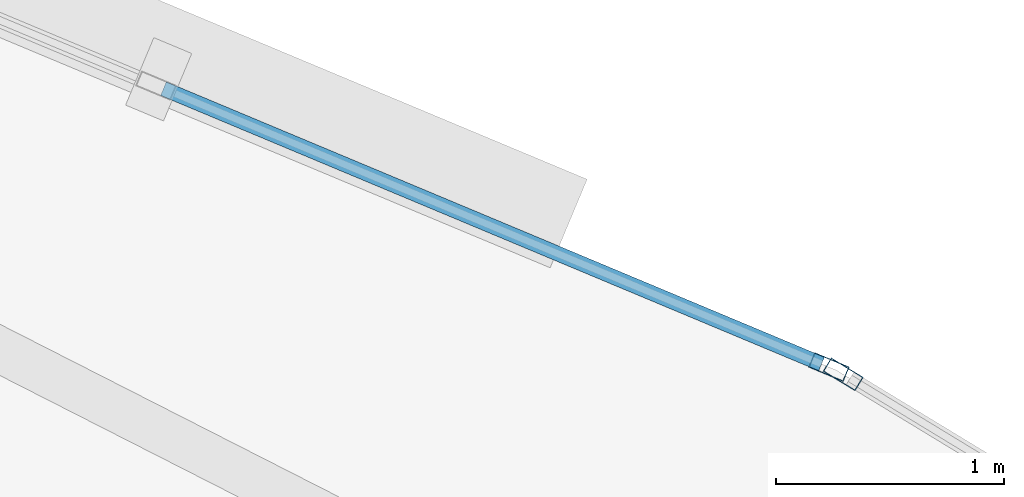
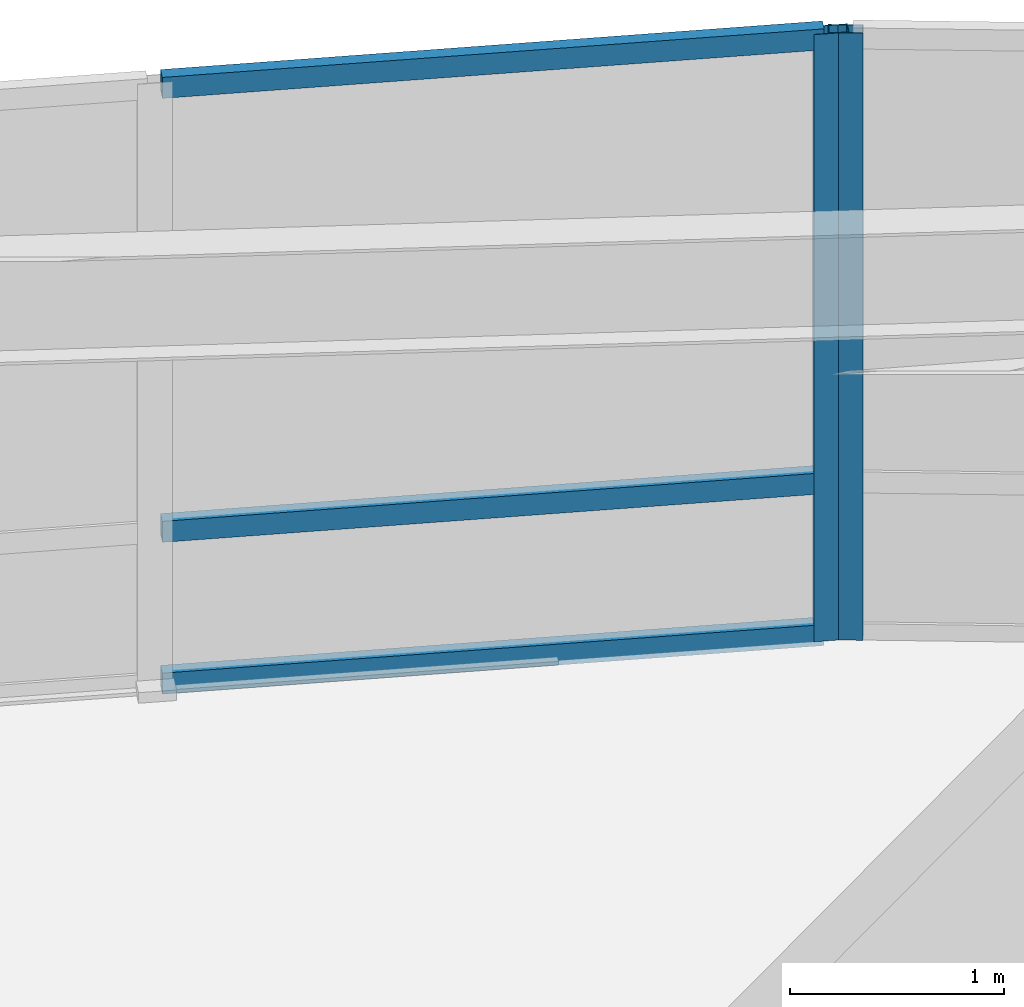
# One storey, part 11 of 16: 5 members, 2 elements without a shape of their own.
"""IFC4 building model written with IfcOpenShell, lengths in metres."""

from ifc_helpers import new_model, si_unit, direction, frame, origin, origin_2d, place, context, subcontext, project, spatial, hollow_rectangle, extrude, material, layer, layer_set, material_profile, profile_set, type_object, element, aggregate, save


model = new_model("IFC4")

# Units and contexts
model_context = context("Model", 3, precision=1e-05, world=origin(), true_north=direction((0.0, 1.0)))
body_context = subcontext(model_context, "Body", "Model", "MODEL_VIEW")
ifc_project = project(units=[si_unit("LENGTHUNIT", "METRE"), si_unit("AREAUNIT", "SQUARE_METRE"), si_unit("VOLUMEUNIT", "CUBIC_METRE"), si_unit("PLANEANGLEUNIT", "RADIAN"), si_unit("MASSUNIT", "GRAM", prefix="KILO")], contexts=[model_context])

# Site, building, storey
site_placement = place(None, origin())
site = spatial("IfcSite", under=ifc_project, at=site_placement, CompositionType="ELEMENT")
building_placement = place(site_placement, origin())
building = spatial("IfcBuilding", under=site, at=building_placement, Name="Menara Vayukalpa", CompositionType="ELEMENT")
storey_placement = place(building_placement, frame((0.0, 0.0, 75.9599609375)))
storey = spatial("IfcBuildingStorey", under=building, at=storey_placement, Name="L18", CompositionType="ELEMENT", Elevation=75.9599609375)

# Curtain wall, member
ifc_material_1 = material(Name="Anodised Terracotta Aluminium Alloy 6063-T6", Category="masonry")
ifc_layer = layer(ifc_material_1, 0.1650390625)
ifc_layer_set = layer_set([ifc_layer], Name="Anodised Terracotta Aluminium Alloy 6063-T6")
curtain_wall_type = type_object("IfcCurtainWallType", Name="CW-CW2", PredefinedType="USERDEFINED", material=ifc_layer_set)
curtain_wall_1_placement = place(storey_placement, origin())
curtain_wall_1 = element("IfcCurtainWall", 1, at=curtain_wall_1_placement, inside=storey, type_object=curtain_wall_type, Name="L18 Low Rise Terracotta Ribbon Curtain Wall CW2 04", ObjectType="UNITISED", PredefinedType="USERDEFINED")
ifc_material_2 = material(Name="Anodised Terracotta Aluminium Alloy 6063-T6", Category="masonry")
ifc_material_profile_1 = material_profile(ifc_material_2, hollow_rectangle(XDim=0.070068359375, YDim=0.1650390625, WallThickness=0.00390625, at=origin_2d()), Name="ALU 70x165x4")
ifc_profile_set_1 = profile_set([ifc_material_profile_1], Name="Anodised Terracotta Aluminium Alloy 6063-T6")
member_type_1 = type_object("IfcMemberType", Name="CWM-CW2", PredefinedType="MULLION", material=ifc_profile_set_1)
member_1_placement = place(storey_placement, frame((29.895751953125, 31.93701171875, 0.0), z_axis=(0.0, 0.0, 1.0), x_axis=(-0.519182959112, -0.854663123674, 0.0)))
member_1 = element("IfcMember", 2, at=member_1_placement, type_object=member_type_1, Name="CW2 mullion 3", PredefinedType="MULLION", context=body_context, shape_type="SweptSolid", body=[
    extrude(hollow_rectangle(XDim=0.070068359375, YDim=0.1650390625, WallThickness=0.00390625, at=origin_2d()), origin(), (0.0, 0.0, 1.0), 3.469970703125),
])
aggregate(curtain_wall_1, [member_1])

# Curtain wall, members
curtain_wall_2_placement = place(storey_placement, origin())
curtain_wall_2 = element("IfcCurtainWall", 3, at=curtain_wall_2_placement, inside=storey, type_object=curtain_wall_type, Name="L18 Low Rise Terracotta Ribbon Curtain Wall CW2 05", ObjectType="UNITISED", PredefinedType="USERDEFINED")
member_2_placement = place(storey_placement, frame((29.83349609375, 31.96875, 0.0), z_axis=(0.0, 0.0, 1.0), x_axis=(-0.38589358437, -0.922543300632, 0.0)))
member_2 = element("IfcMember", 4, at=member_2_placement, type_object=member_type_1, Name="CW2 mullion 1", PredefinedType="MULLION", context=body_context, shape_type="SweptSolid", body=[
    extrude(hollow_rectangle(XDim=0.070068359375, YDim=0.1650390625, WallThickness=0.00390625, at=origin_2d()), origin(), (0.0, 0.0, 1.0), 3.469970703125),
])
ifc_material_3 = material(Name="Anodised Terracotta Aluminium Alloy 6063-T6", Category="masonry")
ifc_material_profile_2 = material_profile(ifc_material_3, hollow_rectangle(XDim=0.06494140625, YDim=0.1201171875, WallThickness=0.00341796875, at=origin_2d()), Name="ALU 65x120x3.5")
ifc_profile_set_2 = profile_set([ifc_material_profile_2], Name="Anodised Terracotta Aluminium Alloy 6063-T6")
member_type_2 = type_object("IfcMemberType", Name="CWT-CW2", PredefinedType="USERDEFINED", material=ifc_profile_set_2)
member_3_placement = place(storey_placement, frame((29.80126953125, 31.982177734375, 0.032470703125), z_axis=(-0.922525759021, 0.385935517856, 0.0), x_axis=(-0.385935517856, -0.922525759021, 0.0)))
member_3 = element("IfcMember", 5, at=member_3_placement, type_object=member_type_2, Name="CW2 transom 1.1", ObjectType="TRANSOM", PredefinedType="USERDEFINED", context=body_context, shape_type="SweptSolid", body=[
    extrude(hollow_rectangle(XDim=0.06494140625, YDim=0.1201171875, WallThickness=0.00341796875, at=origin_2d()), origin(), (0.0, 0.0, 1.0), 3.124267578125),
])
member_4_placement = place(storey_placement, frame((29.80126953125, 31.982177734375, 0.900146484375), z_axis=(-0.922525759021, 0.385935517856, 0.0), x_axis=(-0.385935517856, -0.922525759021, 0.0)))
member_4 = element("IfcMember", 6, at=member_4_placement, type_object=member_type_2, Name="CW2 transom 1.2", ObjectType="TRANSOM", PredefinedType="USERDEFINED", context=body_context, shape_type="SweptSolid", body=[
    extrude(hollow_rectangle(XDim=0.06494140625, YDim=0.1201171875, WallThickness=0.00341796875, at=origin_2d()), origin(), (0.0, 0.0, 1.0), 3.124267578125),
])
member_5_placement = place(storey_placement, frame((29.80126953125, 31.982177734375, 3.4375), z_axis=(-0.922525759021, 0.385935517856, 0.0), x_axis=(-0.385935517856, -0.922525759021, 0.0)))
member_5 = element("IfcMember", 7, at=member_5_placement, type_object=member_type_2, Name="CW2 transom 1.3", ObjectType="TRANSOM", PredefinedType="USERDEFINED", context=body_context, shape_type="SweptSolid", body=[
    extrude(hollow_rectangle(XDim=0.06494140625, YDim=0.1201171875, WallThickness=0.00341796875, at=origin_2d()), origin(), (0.0, 0.0, 1.0), 3.124267578125),
])
aggregate(curtain_wall_2, [member_2, member_3, member_4, member_5])

save(model, "model.ifc")
